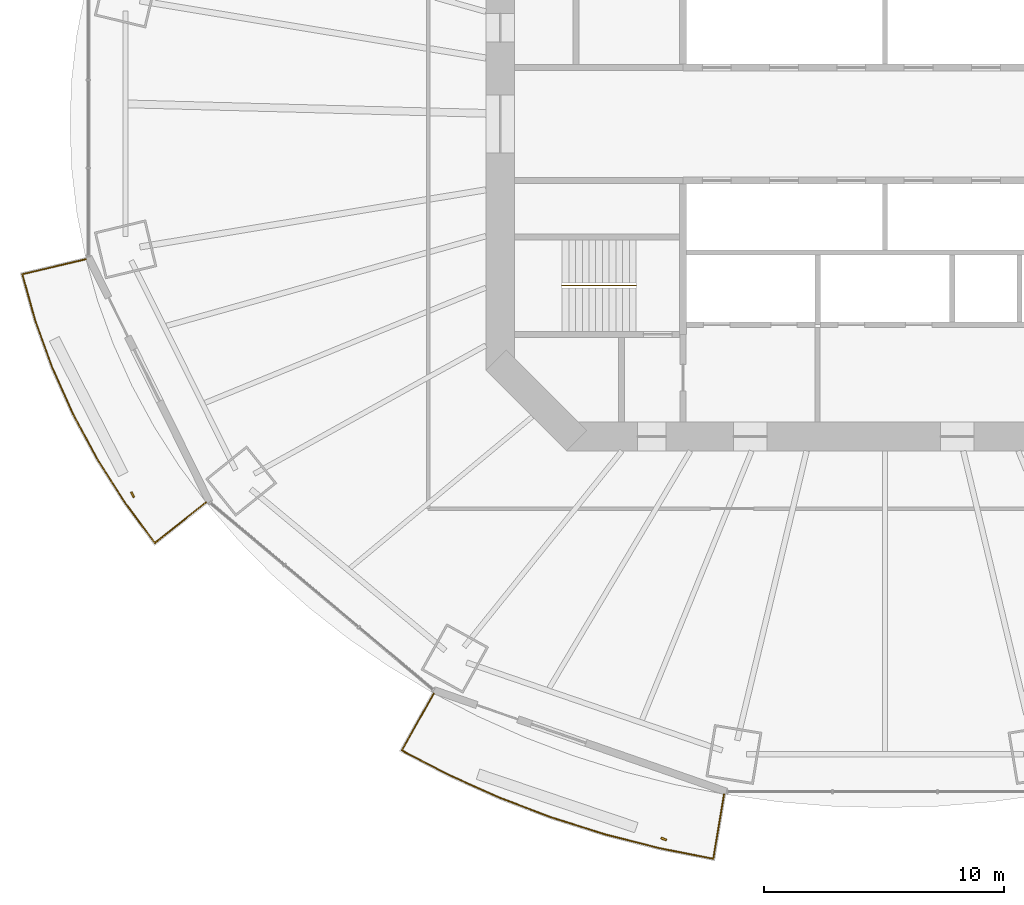
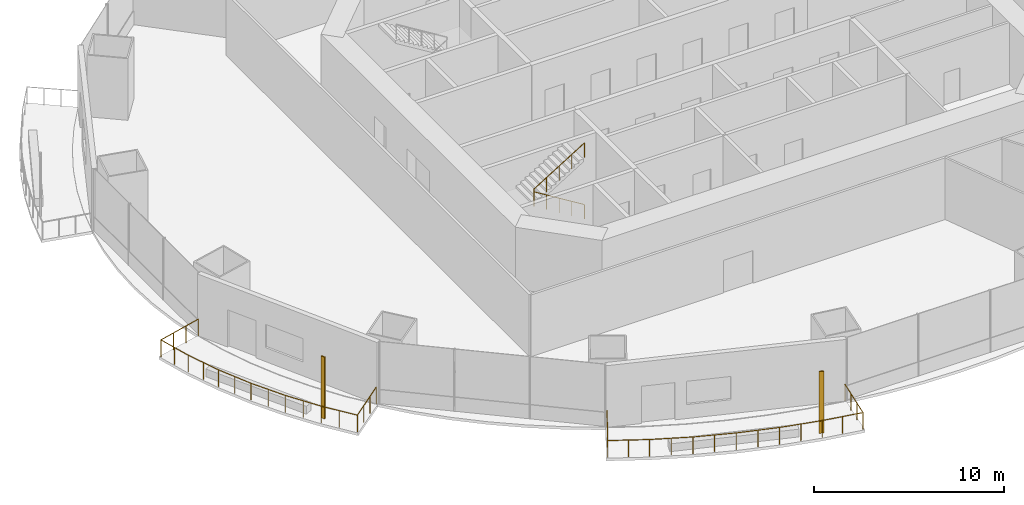
# One storey, part 17 of 21: 3 railings, 2 shading devices.
"""IFC4 building model written with IfcOpenShell, lengths in metres."""

from ifc_helpers import new_model, si_unit, direction, frame, origin, origin_2d, place, context, subcontext, project, spatial, rectangle, circle, extrude, material, material_profile, profile_set, type_object, element, save


model = new_model("IFC4")

# Units and contexts
model_context = context("Model", 3, precision=1e-05, world=origin(), true_north=direction((0.0, 1.0)))
body_context = subcontext(model_context, "Body", "Model", "MODEL_VIEW")
ifc_project = project(units=[si_unit("LENGTHUNIT", "METRE"), si_unit("AREAUNIT", "SQUARE_METRE"), si_unit("VOLUMEUNIT", "CUBIC_METRE"), si_unit("PLANEANGLEUNIT", "RADIAN"), si_unit("MASSUNIT", "GRAM", prefix="KILO")], contexts=[model_context])

# Site, building, storey
site_placement = place(None, origin())
site = spatial("IfcSite", under=ifc_project, at=site_placement, CompositionType="ELEMENT")
building_placement = place(site_placement, origin())
building = spatial("IfcBuilding", under=site, at=building_placement, Name="Marenthal Gate Tower", CompositionType="ELEMENT")
storey_placement = place(building_placement, frame((0.0, 0.0, 124.300048828125)))
storey = spatial("IfcBuildingStorey", under=building, at=storey_placement, Name="L26", CompositionType="ELEMENT", Elevation=124.300048828125)

# Railings
ifc_material_1 = material(Name="Stainless steel", Category="steel")
railing_type_1 = type_object("IfcRailingType", Name="Balcony guard 1100", PredefinedType="GUARDRAIL", material=ifc_material_1)
railing_1_placement = place(storey_placement, frame((-28.239990234375, -15.739013671875, 0.0)))
element("IfcRailing", 1, at=railing_1_placement, inside=storey, type_object=railing_type_1, Name="Balcony guard L26 bay 9", PredefinedType="GUARDRAIL", context=body_context, shape_type="SweptSolid", body=[
    extrude(circle(Radius=0.02392578125, at=origin_2d()), frame((0.0, 0.0, 1.076171875), z_axis=(-0.782384075223, -0.622622270256, -0.014719626974), x_axis=(0.622689732199, -0.782468847568, 0.0)), (0.0, 0.0, 1.0), 2.72021484375),
    extrude(circle(Radius=0.02392578125, at=origin_2d()), frame((-2.128173828125, -1.693603515625, 1.0361328125), z_axis=(-0.594457150675, 0.804127288438, 0.0), x_axis=(-0.804127288438, -0.594457150675, 0.0)), (0.0, 0.0, 1.0), 2.077392578125),
    extrude(circle(Radius=0.02392578125, at=origin_2d()), frame((-3.363037109375, -0.023193359375, 1.0361328125), z_axis=(-0.537259241166, 0.843417161185, 0.0), x_axis=(-0.843417161185, -0.537259241166, 0.0)), (0.0, 0.0, 1.0), 2.140380859375),
    extrude(circle(Radius=0.02392578125, at=origin_2d()), frame((-4.512939453125, 1.781982421875, 1.0361328125), z_axis=(-0.475168488039, 0.879894827792, 0.0), x_axis=(-0.879894827792, -0.475168488039, 0.0)), (0.0, 0.0, 1.0), 2.12451171875),
    extrude(circle(Radius=0.02392578125, at=origin_2d()), frame((-5.5224609375, 3.6513671875, 1.0361328125), z_axis=(-0.409344821555, 0.912379754853, 0.0), x_axis=(-0.912379754853, -0.409344821555, 0.0)), (0.0, 0.0, 1.0), 2.11083984375),
    extrude(circle(Radius=0.02392578125, at=origin_2d()), frame((-6.386474609375, 5.5771484375, 1.0361328125), z_axis=(-0.340033207947, 0.940413429026, 0.0), x_axis=(-0.940413429026, -0.340033207947, 0.0)), (0.0, 0.0, 1.0), 2.0986328125),
    extrude(circle(Radius=0.02392578125, at=origin_2d()), frame((-7.10009765625, 7.55078125, 1.0361328125), z_axis=(-0.269210641776, 0.963081320738, 0.0), x_axis=(-0.963081320738, -0.269210641776, 0.0)), (0.0, 0.0, 1.0), 2.0087890625),
    extrude(circle(Radius=0.02392578125, at=origin_2d()), frame((-7.640869140625, 9.4853515625, 1.0361328125), z_axis=(0.972966930586, 0.230474963356, 0.014718806071), x_axis=(-0.230499932836, 0.973072341074, 0.0)), (0.0, 0.0, 1.0), 2.72021484375),
    extrude(circle(Radius=0.02099609375, at=origin_2d()), origin(), (0.0, 0.0, 1.0), 1.052001953125),
    extrude(circle(Radius=0.02099609375, at=origin_2d()), frame((-0.70947265625, -0.564453125, -0.013427734375)), (0.0, 0.0, 1.0), 1.052001953125),
    extrude(circle(Radius=0.02099609375, at=origin_2d()), frame((-1.418701171875, -1.129150390625, -0.026611328125)), (0.0, 0.0, 1.0), 1.052001953125),
    extrude(circle(Radius=0.02099609375, at=origin_2d()), frame((-2.128173828125, -1.693603515625, -0.0400390625)), (0.0, 0.0, 1.0), 1.052001953125),
    extrude(circle(Radius=0.02099609375, at=origin_2d()), frame((-2.74560546875, -0.8583984375, -0.0400390625)), (0.0, 0.0, 1.0), 1.052001953125),
    extrude(circle(Radius=0.02099609375, at=origin_2d()), frame((-3.363037109375, -0.023193359375, -0.0400390625)), (0.0, 0.0, 1.0), 1.052001953125),
    extrude(circle(Radius=0.02099609375, at=origin_2d()), frame((-3.93798828125, 0.87939453125, -0.0400390625)), (0.0, 0.0, 1.0), 1.052001953125),
    extrude(circle(Radius=0.02099609375, at=origin_2d()), frame((-4.512939453125, 1.781982421875, -0.0400390625)), (0.0, 0.0, 1.0), 1.052001953125),
    extrude(circle(Radius=0.02099609375, at=origin_2d()), frame((-5.017578125, 2.716796875, -0.0400390625)), (0.0, 0.0, 1.0), 1.052001953125),
    extrude(circle(Radius=0.02099609375, at=origin_2d()), frame((-5.5224609375, 3.6513671875, -0.0400390625)), (0.0, 0.0, 1.0), 1.052001953125),
    extrude(circle(Radius=0.02099609375, at=origin_2d()), frame((-5.95458984375, 4.6142578125, -0.0400390625)), (0.0, 0.0, 1.0), 1.052001953125),
    extrude(circle(Radius=0.02099609375, at=origin_2d()), frame((-6.386474609375, 5.5771484375, -0.0400390625)), (0.0, 0.0, 1.0), 1.052001953125),
    extrude(circle(Radius=0.02099609375, at=origin_2d()), frame((-6.7431640625, 6.56396484375, -0.0400390625)), (0.0, 0.0, 1.0), 1.052001953125),
    extrude(circle(Radius=0.02099609375, at=origin_2d()), frame((-7.10009765625, 7.55078125, -0.0400390625)), (0.0, 0.0, 1.0), 1.052001953125),
    extrude(circle(Radius=0.02099609375, at=origin_2d()), frame((-7.37060546875, 8.51806640625, -0.0400390625)), (0.0, 0.0, 1.0), 1.052001953125),
    extrude(circle(Radius=0.02099609375, at=origin_2d()), frame((-7.640869140625, 9.4853515625, -0.0400390625)), (0.0, 0.0, 1.0), 1.052001953125),
    extrude(circle(Radius=0.02099609375, at=origin_2d()), frame((-6.758544921875, 9.6943359375, -0.026611328125)), (0.0, 0.0, 1.0), 1.052001953125),
    extrude(circle(Radius=0.02099609375, at=origin_2d()), frame((-5.87646484375, 9.9033203125, -0.013427734375)), (0.0, 0.0, 1.0), 1.052001953125),
    extrude(circle(Radius=0.02099609375, at=origin_2d()), frame((-4.994140625, 10.1123046875, 0.0)), (0.0, 0.0, 1.0), 1.052001953125),
])
railing_2_placement = place(storey_placement, frame((-6.693115234375, -27.88232421875, 0.0)))
element("IfcRailing", 2, at=railing_2_placement, inside=storey, type_object=railing_type_1, Name="Balcony guard L26 bay 11", PredefinedType="GUARDRAIL", context=body_context, shape_type="SweptSolid", body=[
    extrude(circle(Radius=0.02392578125, at=origin_2d()), frame((0.0, 0.0, 1.076171875), z_axis=(-0.164774109377, -0.986221507592, -0.014718384498), x_axis=(0.986328347949, -0.164791959854, 0.0)), (0.0, 0.0, 1.0), 2.720458984375),
    extrude(circle(Radius=0.02392578125, at=origin_2d()), frame((-0.4482421875, -2.682861328125, 1.0361328125), z_axis=(-0.981203457672, 0.192976098658, 0.0), x_axis=(-0.192976098658, -0.981203457672, 0.0)), (0.0, 0.0, 1.0), 2.2734375),
    extrude(circle(Radius=0.02392578125, at=origin_2d()), frame((-2.678955078125, -2.244140625, 1.0361328125), z_axis=(-0.969104417167, 0.246650823286, 0.0), x_axis=(-0.246650823286, -0.969104417167, 0.0)), (0.0, 0.0, 1.0), 2.343994140625),
    extrude(circle(Radius=0.02392578125, at=origin_2d()), frame((-4.950439453125, -1.666015625, 1.0361328125), z_axis=(-0.953617459754, 0.301021162798, 0.0), x_axis=(-0.301021162798, -0.953617459754, 0.0)), (0.0, 0.0, 1.0), 2.33251953125),
    extrude(circle(Radius=0.02392578125, at=origin_2d()), frame((-7.1748046875, -0.9638671875, 1.0361328125), z_axis=(-0.934727645052, 0.355364924515, 0.0), x_axis=(-0.355364924515, -0.934727645052, 0.0)), (0.0, 0.0, 1.0), 2.3193359375),
    extrude(circle(Radius=0.02392578125, at=origin_2d()), frame((-9.3427734375, -0.1396484375, 1.0361328125), z_axis=(-0.912452038961, 0.409183670979, 0.0), x_axis=(-0.409183670979, -0.912452038961, 0.0)), (0.0, 0.0, 1.0), 2.30419921875),
    extrude(circle(Radius=0.02392578125, at=origin_2d()), frame((-11.4453125, 0.80322265625, 1.0361328125), z_axis=(-0.887124453904, 0.461530284257, 0.0), x_axis=(-0.461530284257, -0.887124453904, 0.0)), (0.0, 0.0, 1.0), 2.2080078125),
    extrude(circle(Radius=0.02392578125, at=origin_2d()), frame((-13.404052734375, 1.822265625, 1.0361328125), z_axis=(0.489197979897, 0.87204857286, 0.014718119373), x_axis=(-0.872143041114, 0.489250974283, 0.0)), (0.0, 0.0, 1.0), 2.720458984375),
    extrude(circle(Radius=0.02099609375, at=origin_2d()), origin(), (0.0, 0.0, 1.0), 1.052001953125),
    extrude(circle(Radius=0.02099609375, at=origin_2d()), frame((-0.1494140625, -0.894287109375, -0.013427734375)), (0.0, 0.0, 1.0), 1.052001953125),
    extrude(circle(Radius=0.02099609375, at=origin_2d()), frame((-0.298828125, -1.78857421875, -0.026611328125)), (0.0, 0.0, 1.0), 1.052001953125),
    extrude(circle(Radius=0.02099609375, at=origin_2d()), frame((-0.4482421875, -2.682861328125, -0.0400390625)), (0.0, 0.0, 1.0), 1.052001953125),
    extrude(circle(Radius=0.02099609375, at=origin_2d()), frame((-1.5634765625, -2.46337890625, -0.0400390625)), (0.0, 0.0, 1.0), 1.052001953125),
    extrude(circle(Radius=0.02099609375, at=origin_2d()), frame((-2.678955078125, -2.244140625, -0.0400390625)), (0.0, 0.0, 1.0), 1.052001953125),
    extrude(circle(Radius=0.02099609375, at=origin_2d()), frame((-3.814697265625, -1.955078125, -0.0400390625)), (0.0, 0.0, 1.0), 1.052001953125),
    extrude(circle(Radius=0.02099609375, at=origin_2d()), frame((-4.950439453125, -1.666015625, -0.0400390625)), (0.0, 0.0, 1.0), 1.052001953125),
    extrude(circle(Radius=0.02099609375, at=origin_2d()), frame((-6.0625, -1.31494140625, -0.0400390625)), (0.0, 0.0, 1.0), 1.052001953125),
    extrude(circle(Radius=0.02099609375, at=origin_2d()), frame((-7.1748046875, -0.9638671875, -0.0400390625)), (0.0, 0.0, 1.0), 1.052001953125),
    extrude(circle(Radius=0.02099609375, at=origin_2d()), frame((-8.2587890625, -0.5517578125, -0.0400390625)), (0.0, 0.0, 1.0), 1.052001953125),
    extrude(circle(Radius=0.02099609375, at=origin_2d()), frame((-9.3427734375, -0.1396484375, -0.0400390625)), (0.0, 0.0, 1.0), 1.052001953125),
    extrude(circle(Radius=0.02099609375, at=origin_2d()), frame((-10.39404296875, 0.331787109375, -0.0400390625)), (0.0, 0.0, 1.0), 1.052001953125),
    extrude(circle(Radius=0.02099609375, at=origin_2d()), frame((-11.4453125, 0.80322265625, -0.0400390625)), (0.0, 0.0, 1.0), 1.052001953125),
    extrude(circle(Radius=0.02099609375, at=origin_2d()), frame((-12.4248046875, 1.312744140625, -0.0400390625)), (0.0, 0.0, 1.0), 1.052001953125),
    extrude(circle(Radius=0.02099609375, at=origin_2d()), frame((-13.404052734375, 1.822265625, -0.0400390625)), (0.0, 0.0, 1.0), 1.052001953125),
    extrude(circle(Radius=0.02099609375, at=origin_2d()), frame((-12.96044921875, 2.613037109375, -0.026611328125)), (0.0, 0.0, 1.0), 1.052001953125),
    extrude(circle(Radius=0.02099609375, at=origin_2d()), frame((-12.516845703125, 3.40380859375, -0.013427734375)), (0.0, 0.0, 1.0), 1.052001953125),
    extrude(circle(Radius=0.02099609375, at=origin_2d()), frame((-12.0732421875, 4.194580078125, 0.0)), (0.0, 0.0, 1.0), 1.052001953125),
])
ifc_material_2 = material(Name="Stainless steel", Category="steel")
railing_type_2 = type_object("IfcRailingType", Name="Stair handrail", PredefinedType="HANDRAIL", material=ifc_material_2)
railing_3_placement = place(storey_placement, frame((-10.35009765625, -6.72509765625, 0.1728515625)))
element("IfcRailing", 3, at=railing_3_placement, inside=storey, type_object=railing_type_2, Name="Handrail ST2", PredefinedType="HANDRAIL", context=body_context, shape_type="SweptSolid", body=[
    extrude(circle(Radius=0.0224609375, at=origin_2d()), frame((0.0, 0.0, 0.927490234375), z_axis=(-0.850816621229, 0.0, 0.525462726595), x_axis=(0.0, -1.0, 0.0)), (0.0, 0.0, 1.0), 3.619873046875),
    extrude(circle(Radius=0.0224609375, at=origin_2d()), frame((-3.079833984375, 0.0, 2.82958984375), z_axis=(0.0, 0.0, 1.0), x_axis=(1.0, 0.0, 0.0)), (0.0, 0.0, 1.0), 0.1728515625),
    extrude(circle(Radius=0.0224609375, at=origin_2d()), frame((-3.079833984375, 0.0, 3.00244140625), z_axis=(0.850816621229, 0.0, 0.525462726595), x_axis=(0.0, 1.0, 0.0)), (0.0, 0.0, 1.0), 3.619873046875),
    extrude(circle(Radius=0.02001953125, at=origin_2d()), origin(), (0.0, 0.0, 1.0), 0.905029296875),
    extrude(circle(Radius=0.02001953125, at=origin_2d()), frame((-0.77001953125, 0.0, 0.4755859375)), (0.0, 0.0, 1.0), 0.905029296875),
    extrude(circle(Radius=0.02001953125, at=origin_2d()), frame((-1.5400390625, 0.0, 0.951171875)), (0.0, 0.0, 1.0), 0.905029296875),
    extrude(circle(Radius=0.02001953125, at=origin_2d()), frame((-2.309814453125, 0.0, 1.426513671875)), (0.0, 0.0, 1.0), 0.905029296875),
    extrude(circle(Radius=0.02001953125, at=origin_2d()), frame((-3.079833984375, 0.0, 1.902099609375)), (0.0, 0.0, 1.0), 0.905029296875),
    extrude(circle(Radius=0.02001953125, at=origin_2d()), frame((-3.079833984375, 0.0, 2.074951171875)), (0.0, 0.0, 1.0), 0.905029296875),
    extrude(circle(Radius=0.02001953125, at=origin_2d()), frame((-2.309814453125, 0.0, 2.550537109375)), (0.0, 0.0, 1.0), 0.905029296875),
    extrude(circle(Radius=0.02001953125, at=origin_2d()), frame((-1.5400390625, 0.0, 3.02587890625)), (0.0, 0.0, 1.0), 0.905029296875),
    extrude(circle(Radius=0.02001953125, at=origin_2d()), frame((-0.77001953125, 0.0, 3.50146484375)), (0.0, 0.0, 1.0), 0.905029296875),
    extrude(circle(Radius=0.02001953125, at=origin_2d()), frame((0.0, 0.0, 3.97705078125)), (0.0, 0.0, 1.0), 0.905029296875),
])

# Shading devices
ifc_material_3 = material(Name="Terracotta", Category="masonry")
ifc_material_profile = material_profile(ifc_material_3, rectangle(XDim=0.25, YDim=0.080078125, at=origin_2d()), Name="Terracotta baguette 250x80")
ifc_profile_set = profile_set([ifc_material_profile], Name="Terracotta")
shading_device_type = type_object("IfcShadingDeviceType", Name="Terracotta BAGUETTE SCREEN 250x80", PredefinedType="USERDEFINED", material=ifc_profile_set)
for number, where, z_axis, x_axis, name in (
    (4, (-31.29296875, -15.42333984375, -0.0400390625), (0.0, 0.0, 1.0), (0.442657811607, -0.896690616558, 0.0), "Terracotta BAGUETTE L26 bay 9R"),
    (5, (-9.20361328125, -29.742919921875, -0.0400390625), (0.0, 0.0, 1.0), (0.944576320007, -0.328291906207, 0.0), "Terracotta BAGUETTE L26 bay 11R"),
):
    element("IfcShadingDevice", number, at=place(storey_placement, frame(where, z_axis=z_axis, x_axis=x_axis)), inside=storey, type_object=shading_device_type, Name=name, ObjectType="BAGUETTE SCREEN", PredefinedType="USERDEFINED", context=body_context, shape_type="SweptSolid", body=[
        extrude(rectangle(XDim=0.25, YDim=0.080078125, at=origin_2d()), origin(), (0.0, 0.0, 1.0), 3.969970703125),
    ])

save(model, "model.ifc")
